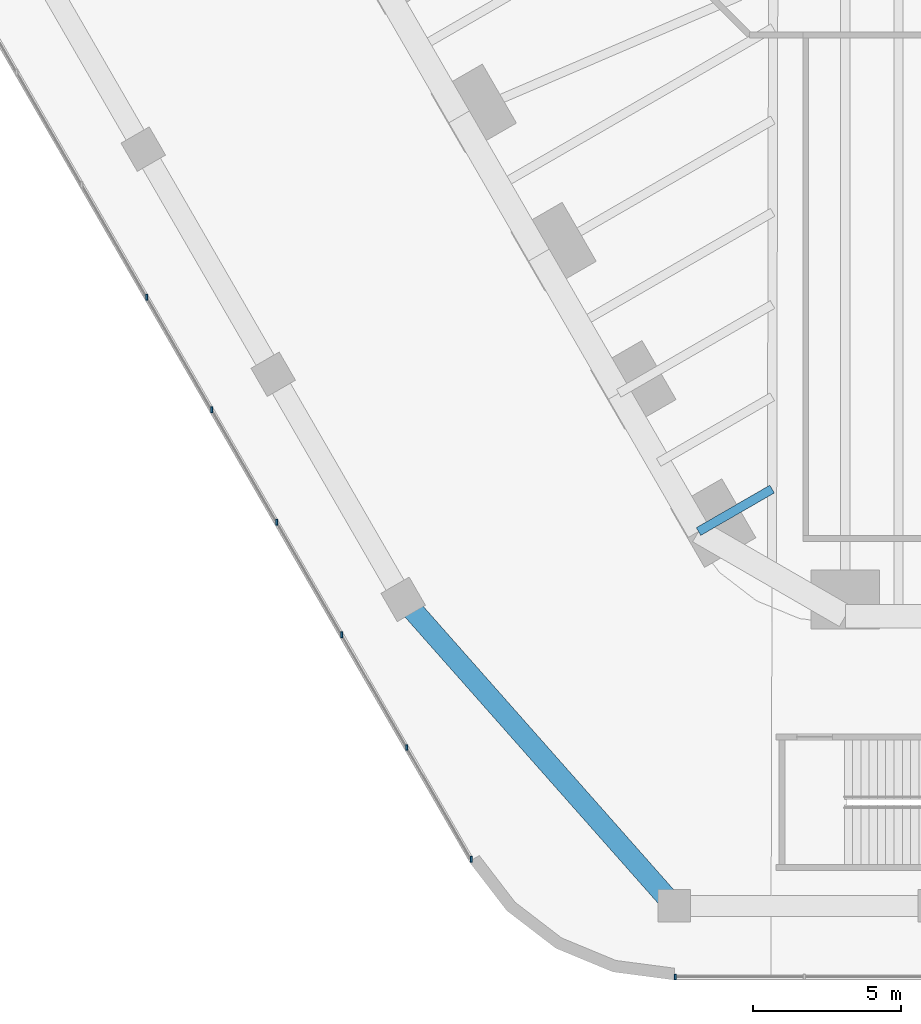
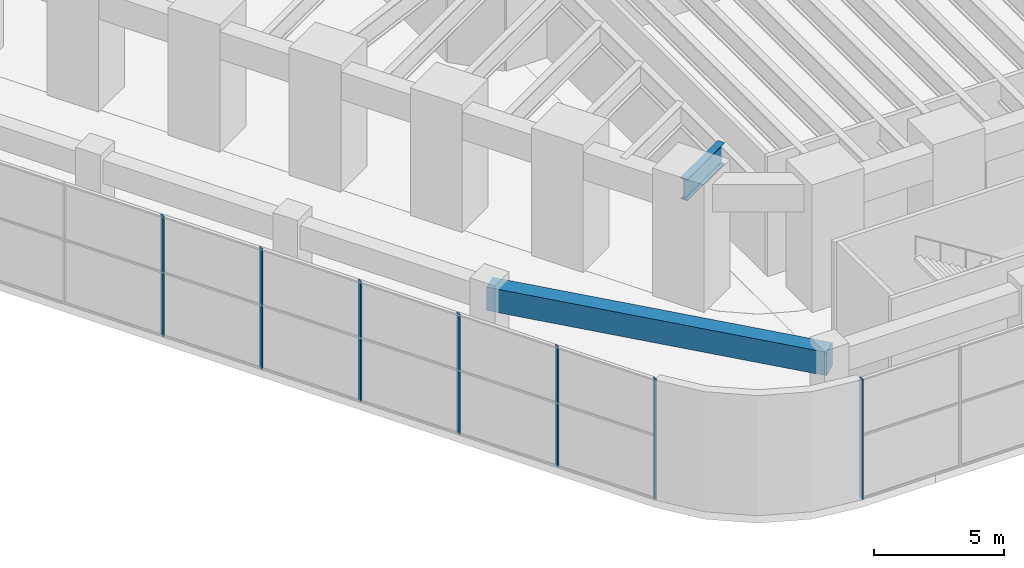
# One storey, part 2 of 31: 7 members, 2 beams, 2 elements without a shape of their own.
"""IFC4 building model written with IfcOpenShell, lengths in metres."""

from ifc_helpers import new_model, si_unit, direction, frame, origin, origin_2d, place, context, subcontext, project, spatial, rectangle, i_section, extrude, material, material_profile, profile_set, type_object, element, aggregate, save


model = new_model("IFC4")

# Units and contexts
model_context = context("Model", 3, precision=1e-05, world=origin(), true_north=direction((0.0, 1.0)))
body_context = subcontext(model_context, "Body", "Model", "MODEL_VIEW")
ifc_project = project(units=[si_unit("LENGTHUNIT", "METRE"), si_unit("AREAUNIT", "SQUARE_METRE"), si_unit("VOLUMEUNIT", "CUBIC_METRE"), si_unit("PLANEANGLEUNIT", "RADIAN"), si_unit("MASSUNIT", "GRAM", prefix="KILO")], contexts=[model_context])

# Site, building, storey
site_placement = place(None, origin())
site = spatial("IfcSite", under=ifc_project, at=site_placement, CompositionType="ELEMENT")
building_placement = place(site_placement, origin())
building = spatial("IfcBuilding", under=site, at=building_placement, Name="Tarfa Lantern Tower", CompositionType="ELEMENT")
storey_placement = place(building_placement, frame((0.0, 0.0, 7.0)))
storey = spatial("IfcBuildingStorey", under=building, at=storey_placement, Name="L01", CompositionType="ELEMENT", Elevation=7.0)

# Curtain wall, members
ifc_material_1 = material(Name="Aluminium framed curtain wall", Category="aluminium")
curtain_wall_type = type_object("IfcCurtainWallType", Name="CW7 PODIUM GLAZING 5650", PredefinedType="USERDEFINED", material=ifc_material_1)
curtain_wall_1_placement = place(storey_placement, origin())
curtain_wall_1 = element("IfcCurtainWall", 1, at=curtain_wall_1_placement, inside=storey, type_object=curtain_wall_type, Name="CW7 SW L01", ObjectType="CURTAIN WALL", PredefinedType="USERDEFINED")
ifc_material_2 = material(Name="Aluminium mullion", Category="aluminium")
ifc_material_profile_1 = material_profile(ifc_material_2, rectangle(XDim=0.06494140625, YDim=0.199951171875, at=origin_2d()), Name="AL MULLION 65x200")
ifc_profile_set_1 = profile_set([ifc_material_profile_1], Name="Aluminium mullion")
member_type = type_object("IfcMemberType", Name="CWM1 MULLION 65x200", PredefinedType="MULLION", material=ifc_profile_set_1)
member_1_placement = place(storey_placement, frame((-39.75048828125, -22.949951171875, 0.0), z_axis=(0.0, 0.0, 1.0), x_axis=(1.0, 0.0, 0.0)))
member_1 = element("IfcMember", 2, at=member_1_placement, type_object=member_type, Name="CW7 mullion 6", PredefinedType="MULLION", context=body_context, shape_type="SweptSolid", body=[
    extrude(rectangle(XDim=0.06494140625, YDim=0.199951171875, at=origin_2d()), origin(), (0.0, 0.0, 1.0), 5.64990234375),
])
member_2_placement = place(storey_placement, frame((-37.556640625, -26.75, 0.0), z_axis=(0.0, 0.0, 1.0), x_axis=(1.0, 0.0, 0.0)))
member_2 = element("IfcMember", 3, at=member_2_placement, type_object=member_type, Name="CW7 mullion 7", PredefinedType="MULLION", context=body_context, shape_type="SweptSolid", body=[
    extrude(rectangle(XDim=0.06494140625, YDim=0.199951171875, at=origin_2d()), origin(), (0.0, 0.0, 1.0), 5.64990234375),
])
member_3_placement = place(storey_placement, frame((-35.36279296875, -30.550048828125, 0.0), z_axis=(0.0, 0.0, 1.0), x_axis=(1.0, 0.0, 0.0)))
member_3 = element("IfcMember", 4, at=member_3_placement, type_object=member_type, Name="CW7 mullion 8", PredefinedType="MULLION", context=body_context, shape_type="SweptSolid", body=[
    extrude(rectangle(XDim=0.06494140625, YDim=0.199951171875, at=origin_2d()), origin(), (0.0, 0.0, 1.0), 5.64990234375),
])
member_4_placement = place(storey_placement, frame((-33.168701171875, -34.35009765625, 0.0), z_axis=(0.0, 0.0, 1.0), x_axis=(1.0, 0.0, 0.0)))
member_4 = element("IfcMember", 5, at=member_4_placement, type_object=member_type, Name="CW7 mullion 9", PredefinedType="MULLION", context=body_context, shape_type="SweptSolid", body=[
    extrude(rectangle(XDim=0.06494140625, YDim=0.199951171875, at=origin_2d()), origin(), (0.0, 0.0, 1.0), 5.64990234375),
])
member_5_placement = place(storey_placement, frame((-30.974853515625, -38.14990234375, 0.0), z_axis=(0.0, 0.0, 1.0), x_axis=(1.0, 0.0, 0.0)))
member_5 = element("IfcMember", 6, at=member_5_placement, type_object=member_type, Name="CW7 mullion 10", PredefinedType="MULLION", context=body_context, shape_type="SweptSolid", body=[
    extrude(rectangle(XDim=0.06494140625, YDim=0.199951171875, at=origin_2d()), origin(), (0.0, 0.0, 1.0), 5.64990234375),
])
member_6_placement = place(storey_placement, frame((-28.797119140625, -41.921875, 0.0), z_axis=(0.0, 0.0, 1.0), x_axis=(1.0, 0.0, 0.0)))
member_6 = element("IfcMember", 7, at=member_6_placement, type_object=member_type, Name="CW7 mullion 11", PredefinedType="MULLION", context=body_context, shape_type="SweptSolid", body=[
    extrude(rectangle(XDim=0.06494140625, YDim=0.199951171875, at=origin_2d()), origin(), (0.0, 0.0, 1.0), 5.64990234375),
])
aggregate(curtain_wall_1, [member_1, member_2, member_3, member_4, member_5, member_6])

# Curtain wall, member
curtain_wall_2_placement = place(storey_placement, origin())
curtain_wall_2 = element("IfcCurtainWall", 8, at=curtain_wall_2_placement, inside=storey, type_object=curtain_wall_type, Name="CW7 S L01", ObjectType="CURTAIN WALL", PredefinedType="USERDEFINED")
member_7_placement = place(storey_placement, frame((-21.90673828125, -45.89990234375, 0.0), z_axis=(0.0, 0.0, 1.0), x_axis=(1.0, 0.0, 0.0)))
member_7 = element("IfcMember", 9, at=member_7_placement, type_object=member_type, Name="CW7 mullion 1", PredefinedType="MULLION", context=body_context, shape_type="SweptSolid", body=[
    extrude(rectangle(XDim=0.06494140625, YDim=0.199951171875, at=origin_2d()), origin(), (0.0, 0.0, 1.0), 5.64990234375),
])
aggregate(curtain_wall_2, [member_7])

# Beams
ifc_material_3 = material(Name="Concrete C80/95", Category="concrete")
ifc_material_profile_2 = material_profile(ifc_material_3, rectangle(XDim=0.699951171875, YDim=1.10009765625, at=origin_2d()), Name="RC 700x1100")
ifc_profile_set_2 = profile_set([ifc_material_profile_2], Name="Concrete C80/95")
beam_type_1 = type_object("IfcBeamType", Name="PB1 RC 700x1100", PredefinedType="BEAM", material=ifc_profile_set_2)
beam_1_placement = place(storey_placement, frame((-31.09033203125, -33.14990234375, 5.10009765625), z_axis=(0.662381688084, -0.74916653642, 0.0), x_axis=(0.74916653642, 0.662381688084, 0.0)))
element("IfcBeam", 10, at=beam_1_placement, inside=storey, type_object=beam_type_1, Name="Podium ring beam SW4", PredefinedType="BEAM", context=body_context, shape_type="SweptSolid", body=[
    extrude(rectangle(XDim=0.699951171875, YDim=1.10009765625, at=origin_2d()), origin(), (0.0, 0.0, 1.0), 13.8154296875),
])
ifc_material_4 = material(Name="Steel S460M", Category="steel")
ifc_material_profile_3 = material_profile(ifc_material_4, i_section(OverallWidth=0.302001953125, OverallDepth=1.008056640625, WebThickness=0.02099609375, FlangeThickness=0.0400390625, FilletRadius=0.030029296875, at=origin_2d()), Name="UB1016x305x349")
ifc_profile_set_3 = profile_set([ifc_material_profile_3], Name="Steel S460M")
beam_type_2 = type_object("IfcBeamType", Name="UB1016x305x349", PredefinedType="BEAM", material=ifc_profile_set_3)
beam_2_placement = place(storey_placement, frame((-21.119384765625, -30.860107421875, 5.14599609375), z_axis=(0.866012580594, 0.500022209759, 0.0), x_axis=(-0.500022209759, 0.866012580594, 0.0)))
element("IfcBeam", 11, at=beam_2_placement, inside=storey, type_object=beam_type_2, Name="Floor beam SW6", PredefinedType="BEAM", context=body_context, shape_type="SweptSolid", body=[
    extrude(i_section(OverallWidth=0.302001953125, OverallDepth=1.008056640625, WebThickness=0.02099609375, FlangeThickness=0.0400390625, FilletRadius=0.030029296875, at=origin_2d()), origin(), (0.0, 0.0, 1.0), 2.866943359375),
])

save(model, "model.ifc")
